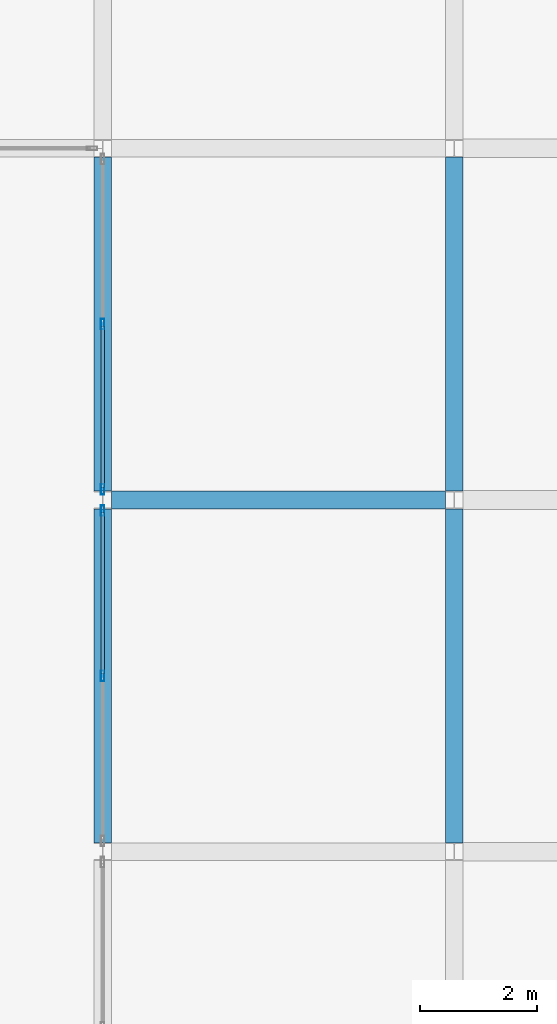
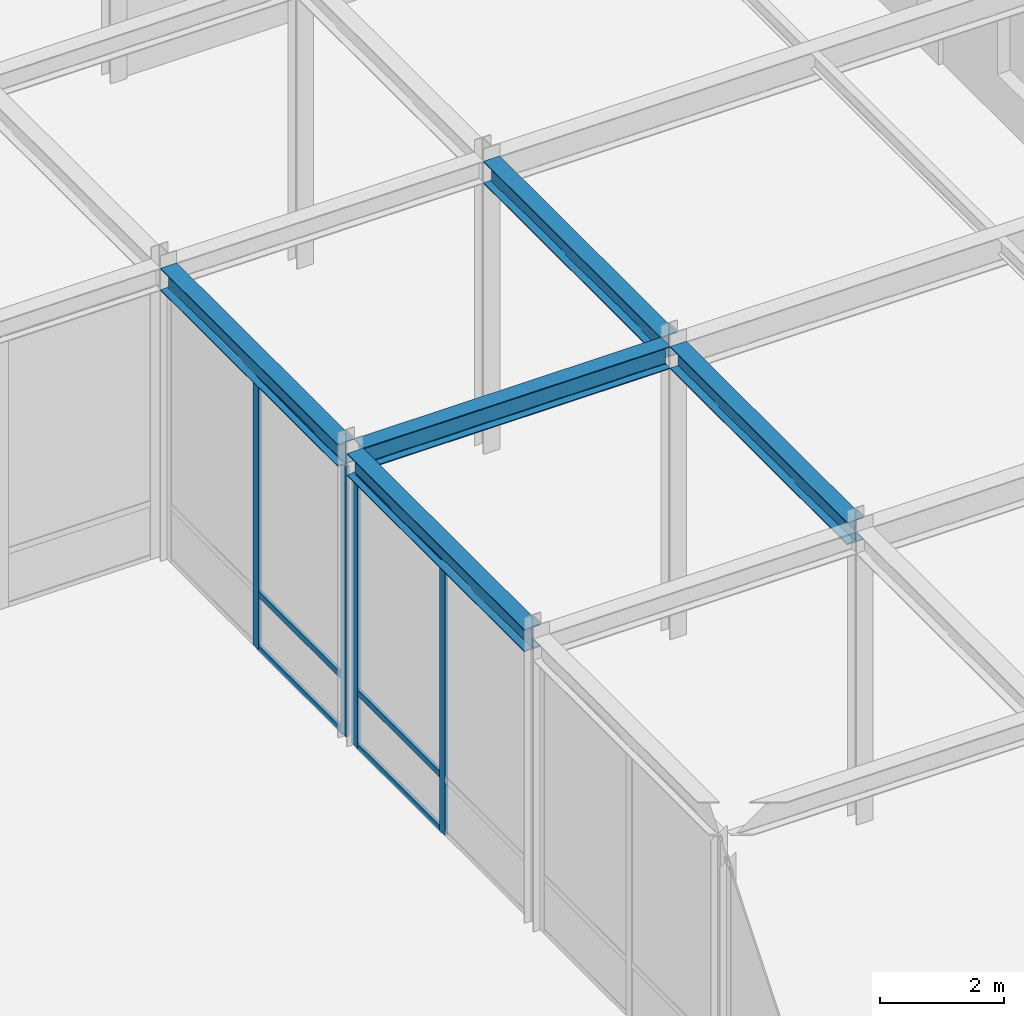
# One storey, part 87 of 108: 10 members, 5 beams, 2 elements without a shape of their own.
"""IFC4 building model written with IfcOpenShell, lengths in metres."""

from ifc_helpers import new_model, si_unit, direction, frame, origin, origin_2d, place, context, subcontext, project, spatial, hollow_rectangle, i_section, extrude, material, layer, layer_set, material_profile, profile_set, type_object, element, aggregate, save


model = new_model("IFC4")

# Units and contexts
model_context = context("Model", 3, precision=1e-05, world=origin(), true_north=direction((0.0, 1.0)))
body_context = subcontext(model_context, "Body", "Model", "MODEL_VIEW")
ifc_project = project(units=[si_unit("LENGTHUNIT", "METRE"), si_unit("AREAUNIT", "SQUARE_METRE"), si_unit("VOLUMEUNIT", "CUBIC_METRE"), si_unit("PLANEANGLEUNIT", "RADIAN"), si_unit("MASSUNIT", "GRAM", prefix="KILO")], contexts=[model_context])

# Site, building, storey
site_placement = place(None, origin())
site = spatial("IfcSite", under=ifc_project, at=site_placement, CompositionType="ELEMENT")
building_placement = place(site_placement, origin())
building = spatial("IfcBuilding", under=site, at=building_placement, Name="Zlatovratsky Civic Hall", CompositionType="ELEMENT")
storey_placement = place(building_placement, frame((0.0, 0.0, 6.0)))
storey = spatial("IfcBuildingStorey", under=building, at=storey_placement, Name="L02", CompositionType="ELEMENT", Elevation=6.0)

# Beams
ifc_material_1 = material(Name="Steel S355", Category="steel")
ifc_material_profile_1 = material_profile(ifc_material_1, i_section(OverallWidth=0.300048828125, OverallDepth=0.43994140625, WebThickness=0.010986328125, FlangeThickness=0.01806640625, FilletRadius=0.02197265625, at=origin_2d()), Name="45Sh1")
ifc_profile_set_1 = profile_set([ifc_material_profile_1], Name="Steel S355")
beam_type = type_object("IfcBeamType", Name="Beam_TowerLow_45Sh1", PredefinedType="BEAM", material=ifc_profile_set_1)
for number, where, z_axis, x_axis, name in (
    (1, (150.14990234375, 60.0, 5.5400390625), (1.0, 0.0, 0.0), (0.0, 1.0, 0.0), "BM-1867"),
    (2, (150.0, 54.14990234375, 5.5400390625), (0.0, 1.0, 0.0), (-1.0, 0.0, 0.0), "BM-2345"),
    (3, (150.0, 60.14990234375, 5.5400390625), (0.0, 1.0, 0.0), (-1.0, 0.0, 0.0), "BM-2346"),
    (4, (156.0, 54.14990234375, 5.5400390625), (0.0, 1.0, 0.0), (-1.0, 0.0, 0.0), "BM-2362"),
    (5, (156.0, 60.14990234375, 5.5400390625), (0.0, 1.0, 0.0), (-1.0, 0.0, 0.0), "BM-2363"),
):
    element("IfcBeam", number, at=place(storey_placement, frame(where, z_axis=z_axis, x_axis=x_axis)), inside=storey, type_object=beam_type, Name=name, PredefinedType="BEAM", context=body_context, shape_type="SweptSolid", body=[
        extrude(i_section(OverallWidth=0.300048828125, OverallDepth=0.43994140625, WebThickness=0.010986328125, FlangeThickness=0.01806640625, FilletRadius=0.02197265625, at=origin_2d()), origin(), (0.0, 0.0, 1.0), 5.7001953125),
    ])

# Curtain wall, members
ifc_material_2 = material(Name="Anodised bronze aluminium", Category="aluminium")
ifc_layer = layer(ifc_material_2, 0.159912109375)
ifc_layer_set = layer_set([ifc_layer], Name="Anodised bronze aluminium")
curtain_wall_type = type_object("IfcCurtainWallType", Name="CurtainWall_Bronze_5700x5310_06", PredefinedType="NOTDEFINED", material=ifc_layer_set)
curtain_wall_1_placement = place(storey_placement, origin())
curtain_wall_1 = element("IfcCurtainWall", 6, at=curtain_wall_1_placement, inside=storey, type_object=curtain_wall_type, Name="CW-043", PredefinedType="NOTDEFINED")
ifc_material_profile_2 = material_profile(ifc_material_2, hollow_rectangle(XDim=0.06005859375, YDim=0.179931640625, WallThickness=0.00390625, at=origin_2d()), Name="ALU 60x180x4")
ifc_profile_set_2 = profile_set([ifc_material_profile_2], Name="Anodised bronze aluminium")
member_type_1 = type_object("IfcMemberType", Name="CW_Mullion_60x180", PredefinedType="MULLION", material=ifc_profile_set_2)
member_1_placement = place(storey_placement, frame((150.0, 57.0, 0.0), z_axis=(0.0, 0.0, 1.0), x_axis=(-1.0, 0.0, 0.0)))
member_1 = element("IfcMember", 7, at=member_1_placement, type_object=member_type_1, Name="CW-06 mullion 2", PredefinedType="MULLION", context=body_context, shape_type="SweptSolid", body=[
    extrude(hollow_rectangle(XDim=0.06005859375, YDim=0.179931640625, WallThickness=0.00390625, at=origin_2d()), origin(), (0.0, 0.0, 1.0), 5.31005859375),
])
member_2_placement = place(storey_placement, frame((150.0, 59.820068359375, 0.0), z_axis=(0.0, 0.0, 1.0), x_axis=(-1.0, 0.0, 0.0)))
member_2 = element("IfcMember", 8, at=member_2_placement, type_object=member_type_1, Name="CW-06 mullion 3", PredefinedType="MULLION", context=body_context, shape_type="SweptSolid", body=[
    extrude(hollow_rectangle(XDim=0.06005859375, YDim=0.179931640625, WallThickness=0.00390625, at=origin_2d()), origin(), (0.0, 0.0, 1.0), 5.31005859375),
])

curtain_wall_2_placement = place(storey_placement, origin())
curtain_wall_2 = element("IfcCurtainWall", 9, at=curtain_wall_2_placement, inside=storey, type_object=curtain_wall_type, Name="CW-044", PredefinedType="NOTDEFINED")
member_3_placement = place(storey_placement, frame((150.0, 60.179931640625, 0.0), z_axis=(0.0, 0.0, 1.0), x_axis=(-1.0, 0.0, 0.0)))
member_3 = element("IfcMember", 10, at=member_3_placement, type_object=member_type_1, Name="CW-06 mullion 1", PredefinedType="MULLION", context=body_context, shape_type="SweptSolid", body=[
    extrude(hollow_rectangle(XDim=0.06005859375, YDim=0.179931640625, WallThickness=0.00390625, at=origin_2d()), origin(), (0.0, 0.0, 1.0), 5.31005859375),
])
member_4_placement = place(storey_placement, frame((150.0, 63.0, 0.0), z_axis=(0.0, 0.0, 1.0), x_axis=(-1.0, 0.0, 0.0)))
member_4 = element("IfcMember", 11, at=member_4_placement, type_object=member_type_1, Name="CW-06 mullion 2", PredefinedType="MULLION", context=body_context, shape_type="SweptSolid", body=[
    extrude(hollow_rectangle(XDim=0.06005859375, YDim=0.179931640625, WallThickness=0.00390625, at=origin_2d()), origin(), (0.0, 0.0, 1.0), 5.31005859375),
])

# Member
ifc_material_profile_3 = material_profile(ifc_material_2, hollow_rectangle(XDim=0.06005859375, YDim=0.1201171875, WallThickness=0.00390625, at=origin_2d()), Name="ALU 60x120x4")
ifc_profile_set_3 = profile_set([ifc_material_profile_3], Name="Anodised bronze aluminium")
member_type_2 = type_object("IfcMemberType", Name="CW_Transom_60x120", PredefinedType="USERDEFINED", material=ifc_profile_set_3)
member_5_placement = place(storey_placement, frame((150.0, 57.030029296875, 0.030029296875), z_axis=(0.0, 1.0, 0.0), x_axis=(-1.0, 0.0, 0.0)))
member_5 = element("IfcMember", 12, at=member_5_placement, type_object=member_type_2, Name="CW-06 transom 2.1", ObjectType="TRANSOM", PredefinedType="USERDEFINED", context=body_context, shape_type="SweptSolid", body=[
    extrude(hollow_rectangle(XDim=0.06005859375, YDim=0.1201171875, WallThickness=0.00390625, at=origin_2d()), origin(), (0.0, 0.0, 1.0), 2.760009765625),
])

member_6_placement = place(storey_placement, frame((150.0, 57.030029296875, 1.10009765625), z_axis=(0.0, 1.0, 0.0), x_axis=(-1.0, 0.0, 0.0)))
member_6 = element("IfcMember", 13, at=member_6_placement, type_object=member_type_2, Name="CW-06 transom 2.2", ObjectType="TRANSOM", PredefinedType="USERDEFINED", context=body_context, shape_type="SweptSolid", body=[
    extrude(hollow_rectangle(XDim=0.06005859375, YDim=0.1201171875, WallThickness=0.00390625, at=origin_2d()), origin(), (0.0, 0.0, 1.0), 2.760009765625),
])

member_7_placement = place(storey_placement, frame((150.0, 57.030029296875, 5.280029296875), z_axis=(0.0, 1.0, 0.0), x_axis=(-1.0, 0.0, 0.0)))
member_7 = element("IfcMember", 14, at=member_7_placement, type_object=member_type_2, Name="CW-06 transom 2.3", ObjectType="TRANSOM", PredefinedType="USERDEFINED", context=body_context, shape_type="SweptSolid", body=[
    extrude(hollow_rectangle(XDim=0.06005859375, YDim=0.1201171875, WallThickness=0.00390625, at=origin_2d()), origin(), (0.0, 0.0, 1.0), 2.760009765625),
])

aggregate(curtain_wall_1, [member_1, member_2, member_5, member_6, member_7])

member_8_placement = place(storey_placement, frame((150.0, 60.2099609375, 0.030029296875), z_axis=(0.0, 1.0, 0.0), x_axis=(-1.0, 0.0, 0.0)))
member_8 = element("IfcMember", 15, at=member_8_placement, type_object=member_type_2, Name="CW-06 transom 1.1", ObjectType="TRANSOM", PredefinedType="USERDEFINED", context=body_context, shape_type="SweptSolid", body=[
    extrude(hollow_rectangle(XDim=0.06005859375, YDim=0.1201171875, WallThickness=0.00390625, at=origin_2d()), origin(), (0.0, 0.0, 1.0), 2.760009765625),
])

member_9_placement = place(storey_placement, frame((150.0, 60.2099609375, 1.10009765625), z_axis=(0.0, 1.0, 0.0), x_axis=(-1.0, 0.0, 0.0)))
member_9 = element("IfcMember", 16, at=member_9_placement, type_object=member_type_2, Name="CW-06 transom 1.2", ObjectType="TRANSOM", PredefinedType="USERDEFINED", context=body_context, shape_type="SweptSolid", body=[
    extrude(hollow_rectangle(XDim=0.06005859375, YDim=0.1201171875, WallThickness=0.00390625, at=origin_2d()), origin(), (0.0, 0.0, 1.0), 2.760009765625),
])

member_10_placement = place(storey_placement, frame((150.0, 60.2099609375, 5.280029296875), z_axis=(0.0, 1.0, 0.0), x_axis=(-1.0, 0.0, 0.0)))
member_10 = element("IfcMember", 17, at=member_10_placement, type_object=member_type_2, Name="CW-06 transom 1.3", ObjectType="TRANSOM", PredefinedType="USERDEFINED", context=body_context, shape_type="SweptSolid", body=[
    extrude(hollow_rectangle(XDim=0.06005859375, YDim=0.1201171875, WallThickness=0.00390625, at=origin_2d()), origin(), (0.0, 0.0, 1.0), 2.760009765625),
])

aggregate(curtain_wall_2, [member_3, member_4, member_8, member_9, member_10])

save(model, "model.ifc")
